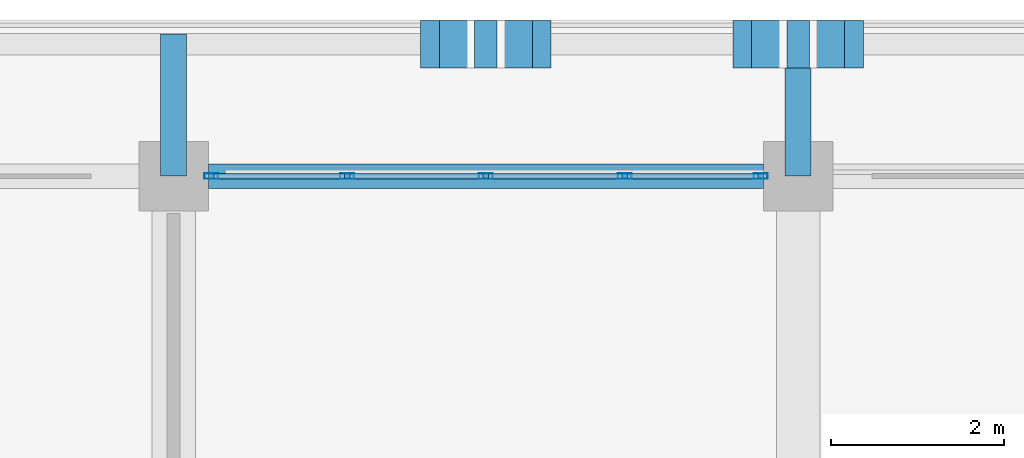
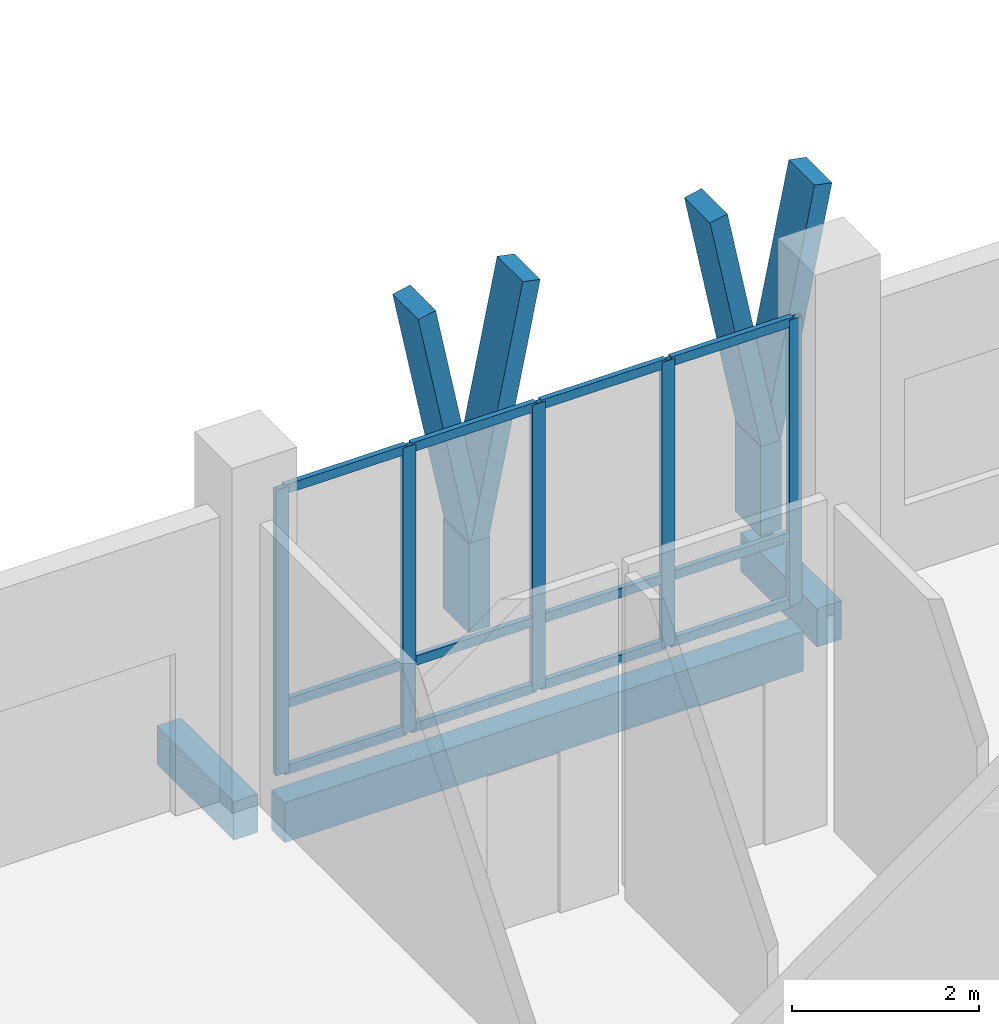
# One storey, part 27 of 110: 23 members, 3 beams, 1 element without a shape of its own.
"""IFC4 building model written with IfcOpenShell, lengths in metres."""

from ifc_helpers import new_model, si_unit, direction, frame, origin, origin_2d, place, context, subcontext, project, spatial, rectangle, hollow_rectangle, extrude, material, material_profile, profile_set, type_object, element, aggregate, save


model = new_model("IFC4")

# Units and contexts
model_context = context("Model", 3, precision=1e-05, world=origin(), true_north=direction((0.0, 1.0)))
body_context = subcontext(model_context, "Body", "Model", "MODEL_VIEW")
ifc_project = project(units=[si_unit("LENGTHUNIT", "METRE"), si_unit("AREAUNIT", "SQUARE_METRE"), si_unit("VOLUMEUNIT", "CUBIC_METRE"), si_unit("PLANEANGLEUNIT", "RADIAN"), si_unit("MASSUNIT", "GRAM", prefix="KILO")], contexts=[model_context])

# Site, building, storey
site_placement = place(None, origin())
site = spatial("IfcSite", under=ifc_project, at=site_placement, CompositionType="ELEMENT")
building_placement = place(site_placement, origin())
building = spatial("IfcBuilding", under=site, at=building_placement, Name="Suanplinth Sawtooth Commons", CompositionType="ELEMENT")
storey_placement = place(building_placement, frame((0.0, 0.0, 4.5)))
storey = spatial("IfcBuildingStorey", under=building, at=storey_placement, Name="L01", CompositionType="ELEMENT", Elevation=4.5)

# Beams
ifc_material_1 = material(Name="Precast concrete C40/50", Category="concrete")
ifc_material_profile_1 = material_profile(ifc_material_1, rectangle(XDim=0.300048828125, YDim=0.5, at=origin_2d()), Name="PC-BM 300x500")
ifc_profile_set_1 = profile_set([ifc_material_profile_1], Name="Precast concrete C40/50")
beam_type_1 = type_object("IfcBeamType", Name="B-07", PredefinedType="BEAM", material=ifc_profile_set_1)
for number, where, z_axis, x_axis, name in (
    (1, (14.39990234375, 122.39990234375, -0.429931640625), (0.0, 1.0, 0.0), (-1.0, 0.0, 0.0), "Balcony Outrigger L01-A-N-2"),
    (2, (21.60009765625, 122.39990234375, -0.429931640625), (0.0, 1.0, 0.0), (-1.0, 0.0, 0.0), "Balcony Outrigger L01-A-N-3"),
):
    element("IfcBeam", number, at=place(storey_placement, frame(where, z_axis=z_axis, x_axis=x_axis)), inside=storey, type_object=beam_type_1, Name=name, PredefinedType="BEAM", context=body_context, shape_type="SweptSolid", body=[
        extrude(rectangle(XDim=0.300048828125, YDim=0.5, at=origin_2d()), origin(), (0.0, 0.0, 1.0), 1.64013671875),
    ])
ifc_material_profile_2 = material_profile(ifc_material_1, rectangle(XDim=0.280029296875, YDim=0.52001953125, at=origin_2d()), Name="PC-SP 280x520")
ifc_profile_set_2 = profile_set([ifc_material_profile_2], Name="Precast concrete C40/50")
beam_type_2 = type_object("IfcBeamType", Name="B-08", PredefinedType="SPANDREL", material=ifc_profile_set_2)
beam_placement = place(storey_placement, frame((14.800048828125, 122.39990234375, -0.56005859375), z_axis=(1.0, 0.0, 0.0), x_axis=(0.0, 1.0, 0.0)))
element("IfcBeam", 3, at=beam_placement, inside=storey, type_object=beam_type_2, Name="BMX-L01-A-2-17", PredefinedType="SPANDREL", context=body_context, shape_type="SweptSolid", body=[
    extrude(rectangle(XDim=0.280029296875, YDim=0.52001953125, at=origin_2d()), origin(), (0.0, 0.0, 1.0), 6.39990234375),
])

# Members
ifc_material_2 = material(Name="Pigmented precast concrete C40/50", Category="concrete")
ifc_material_profile_3 = material_profile(ifc_material_2, rectangle(XDim=0.260009765625, YDim=0.550048828125, at=origin_2d()), Name="PC-FIN 260x550")
ifc_profile_set_3 = profile_set([ifc_material_profile_3], Name="Pigmented precast concrete C40/50")
member_type_1 = type_object("IfcMemberType", Name="M-09", PredefinedType="USERDEFINED", material=ifc_profile_set_3)
for number, where, z_axis, x_axis, name in (
    (4, (18.0, 123.919921875, 0.0), (0.0, 0.0, 1.0), (1.0, 0.0, 0.0), "Y-Blade Stem L01-A-N-02"),
    (5, (21.60009765625, 123.919921875, 0.0), (0.0, 0.0, 1.0), (1.0, 0.0, 0.0), "Y-Blade Stem L01-A-N-03"),
):
    element("IfcMember", number, at=place(storey_placement, frame(where, z_axis=z_axis, x_axis=x_axis)), inside=storey, type_object=member_type_1, Name=name, ObjectType="SHADING FIN", PredefinedType="USERDEFINED", context=body_context, shape_type="SweptSolid", body=[
        extrude(rectangle(XDim=0.260009765625, YDim=0.550048828125, at=origin_2d()), origin(), (0.0, 0.0, 1.0), 1.169921875),
    ])
ifc_material_profile_4 = material_profile(ifc_material_2, rectangle(XDim=0.219970703125, YDim=0.550048828125, at=origin_2d()), Name="PC-FIN 220x550")
ifc_profile_set_4 = profile_set([ifc_material_profile_4], Name="Pigmented precast concrete C40/50")
member_type_2 = type_object("IfcMemberType", Name="M-10", PredefinedType="USERDEFINED", material=ifc_profile_set_4)
for number, where, z_axis, x_axis, name in (
    (6, (18.0, 123.919921875, 1.1298828125), (-0.197582858822, 0.0, 0.980286189793), (0.980286189793, 0.0, 0.197582858822), "Y-Blade Arm L L01-A-N-02"),
    (7, (18.0, 123.919921875, 1.1298828125), (0.197582858822, 0.0, 0.980286189793), (-0.980286189793, 0.0, 0.197582858822), "Y-Blade Arm R L01-A-N-02"),
    (8, (21.60009765625, 123.919921875, 1.1298828125), (-0.197582858822, 0.0, 0.980286189793), (0.980286189793, 0.0, 0.197582858822), "Y-Blade Arm L L01-A-N-03"),
):
    element("IfcMember", number, at=place(storey_placement, frame(where, z_axis=z_axis, x_axis=x_axis)), inside=storey, type_object=member_type_2, Name=name, ObjectType="SHADING FIN", PredefinedType="USERDEFINED", context=body_context, shape_type="SweptSolid", body=[
        extrude(rectangle(XDim=0.219970703125, YDim=0.550048828125, at=origin_2d()), origin(), (0.0, 0.0, 1.0), 3.2646484375),
    ])
member_1_placement = place(storey_placement, frame((21.60009765625, 123.919921875, 1.1298828125), z_axis=(0.197510991436, 0.0, 0.980300672377), x_axis=(-0.980300672377, 0.0, 0.197510991436)))
element("IfcMember", 9, at=member_1_placement, inside=storey, type_object=member_type_2, Name="Y-Blade Arm R L01-A-N-03", ObjectType="SHADING FIN", PredefinedType="USERDEFINED", context=body_context, shape_type="SweptSolid", body=[
    extrude(rectangle(XDim=0.219970703125, YDim=0.550048828125, at=origin_2d()), origin(), (0.0, 0.0, 1.0), 3.264404296875),
])

# Curtain wall, members
ifc_material_3 = material(Name="Anodized aluminium and low-E glazing", Category="aluminium")
curtain_wall_type = type_object("IfcCurtainWallType", Name="CW-06", PredefinedType="USERDEFINED", material=ifc_material_3)
curtain_wall_placement = place(storey_placement, origin())
curtain_wall = element("IfcCurtainWall", 10, at=curtain_wall_placement, inside=storey, type_object=curtain_wall_type, Name="Curtain Wall CW-L01-A-LOUNGE-2", ObjectType="CURTAIN WALL", PredefinedType="USERDEFINED")
ifc_material_4 = material(Name="Anodized aluminium 6063-T6", Category="aluminium")
ifc_material_profile_5 = material_profile(ifc_material_4, hollow_rectangle(XDim=0.06494140625, YDim=0.159912109375, WallThickness=0.00390625, at=origin_2d()), Name="ALU-MUL 65x160")
ifc_profile_set_5 = profile_set([ifc_material_profile_5], Name="Anodized aluminium 6063-T6")
member_type_3 = type_object("IfcMemberType", Name="M-13", PredefinedType="MULLION", material=ifc_profile_set_5)
member_2_placement = place(storey_placement, frame((14.83251953125, 122.39990234375, 0.0), z_axis=(0.0, 0.0, 1.0), x_axis=(0.0, 1.0, 0.0)))
member_2 = element("IfcMember", 11, at=member_2_placement, type_object=member_type_3, Name="CW-06 mullion 1", PredefinedType="MULLION", context=body_context, shape_type="SweptSolid", body=[
    extrude(hollow_rectangle(XDim=0.06494140625, YDim=0.159912109375, WallThickness=0.00390625, at=origin_2d()), origin(), (0.0, 0.0, 1.0), 3.72998046875),
])
member_3_placement = place(storey_placement, frame((16.39990234375, 122.39990234375, 0.0), z_axis=(0.0, 0.0, 1.0), x_axis=(0.0, 1.0, 0.0)))
member_3 = element("IfcMember", 12, at=member_3_placement, type_object=member_type_3, Name="CW-06 mullion 2", PredefinedType="MULLION", context=body_context, shape_type="SweptSolid", body=[
    extrude(hollow_rectangle(XDim=0.06494140625, YDim=0.159912109375, WallThickness=0.00390625, at=origin_2d()), origin(), (0.0, 0.0, 1.0), 3.72998046875),
])
member_4_placement = place(storey_placement, frame((18.0, 122.39990234375, 0.0), z_axis=(0.0, 0.0, 1.0), x_axis=(0.0, 1.0, 0.0)))
member_4 = element("IfcMember", 13, at=member_4_placement, type_object=member_type_3, Name="CW-06 mullion 3", PredefinedType="MULLION", context=body_context, shape_type="SweptSolid", body=[
    extrude(hollow_rectangle(XDim=0.06494140625, YDim=0.159912109375, WallThickness=0.00390625, at=origin_2d()), origin(), (0.0, 0.0, 1.0), 3.72998046875),
])
member_5_placement = place(storey_placement, frame((19.60009765625, 122.39990234375, 0.0), z_axis=(0.0, 0.0, 1.0), x_axis=(0.0, 1.0, 0.0)))
member_5 = element("IfcMember", 14, at=member_5_placement, type_object=member_type_3, Name="CW-06 mullion 4", PredefinedType="MULLION", context=body_context, shape_type="SweptSolid", body=[
    extrude(hollow_rectangle(XDim=0.06494140625, YDim=0.159912109375, WallThickness=0.00390625, at=origin_2d()), origin(), (0.0, 0.0, 1.0), 3.72998046875),
])
member_6_placement = place(storey_placement, frame((21.16748046875, 122.39990234375, 0.0), z_axis=(0.0, 0.0, 1.0), x_axis=(0.0, 1.0, 0.0)))
member_6 = element("IfcMember", 15, at=member_6_placement, type_object=member_type_3, Name="CW-06 mullion 5", PredefinedType="MULLION", context=body_context, shape_type="SweptSolid", body=[
    extrude(hollow_rectangle(XDim=0.06494140625, YDim=0.159912109375, WallThickness=0.00390625, at=origin_2d()), origin(), (0.0, 0.0, 1.0), 3.72998046875),
])
ifc_material_profile_6 = material_profile(ifc_material_4, hollow_rectangle(XDim=0.06494140625, YDim=0.1201171875, WallThickness=0.00390625, at=origin_2d()), Name="ALU-TRN 65x120")
ifc_profile_set_6 = profile_set([ifc_material_profile_6], Name="Anodized aluminium 6063-T6")
member_type_4 = type_object("IfcMemberType", Name="M-15", PredefinedType="USERDEFINED", material=ifc_profile_set_6)
member_7_placement = place(storey_placement, frame((14.864990234375, 122.39990234375, 0.032470703125), z_axis=(1.0, 0.0, 0.0), x_axis=(0.0, 1.0, 0.0)))
member_7 = element("IfcMember", 16, at=member_7_placement, type_object=member_type_4, Name="CW-06 transom 1.1", ObjectType="TRANSOM", PredefinedType="USERDEFINED", context=body_context, shape_type="SweptSolid", body=[
    extrude(hollow_rectangle(XDim=0.06494140625, YDim=0.1201171875, WallThickness=0.00390625, at=origin_2d()), origin(), (0.0, 0.0, 1.0), 1.50244140625),
])
member_8_placement = place(storey_placement, frame((14.864990234375, 122.39990234375, 0.89990234375), z_axis=(1.0, 0.0, 0.0), x_axis=(0.0, 1.0, 0.0)))
member_8 = element("IfcMember", 17, at=member_8_placement, type_object=member_type_4, Name="CW-06 transom 1.2", ObjectType="TRANSOM", PredefinedType="USERDEFINED", context=body_context, shape_type="SweptSolid", body=[
    extrude(hollow_rectangle(XDim=0.06494140625, YDim=0.1201171875, WallThickness=0.00390625, at=origin_2d()), origin(), (0.0, 0.0, 1.0), 1.50244140625),
])
member_9_placement = place(storey_placement, frame((14.864990234375, 122.39990234375, 3.697509765625), z_axis=(1.0, 0.0, 0.0), x_axis=(0.0, 1.0, 0.0)))
member_9 = element("IfcMember", 18, at=member_9_placement, type_object=member_type_4, Name="CW-06 transom 1.3", ObjectType="TRANSOM", PredefinedType="USERDEFINED", context=body_context, shape_type="SweptSolid", body=[
    extrude(hollow_rectangle(XDim=0.06494140625, YDim=0.1201171875, WallThickness=0.00390625, at=origin_2d()), origin(), (0.0, 0.0, 1.0), 1.50244140625),
])
member_10_placement = place(storey_placement, frame((16.4326171875, 122.39990234375, 0.032470703125), z_axis=(1.0, 0.0, 0.0), x_axis=(0.0, 1.0, 0.0)))
member_10 = element("IfcMember", 19, at=member_10_placement, type_object=member_type_4, Name="CW-06 transom 2.1", ObjectType="TRANSOM", PredefinedType="USERDEFINED", context=body_context, shape_type="SweptSolid", body=[
    extrude(hollow_rectangle(XDim=0.06494140625, YDim=0.1201171875, WallThickness=0.00390625, at=origin_2d()), origin(), (0.0, 0.0, 1.0), 1.534912109375),
])
member_11_placement = place(storey_placement, frame((16.4326171875, 122.39990234375, 0.89990234375), z_axis=(1.0, 0.0, 0.0), x_axis=(0.0, 1.0, 0.0)))
member_11 = element("IfcMember", 20, at=member_11_placement, type_object=member_type_4, Name="CW-06 transom 2.2", ObjectType="TRANSOM", PredefinedType="USERDEFINED", context=body_context, shape_type="SweptSolid", body=[
    extrude(hollow_rectangle(XDim=0.06494140625, YDim=0.1201171875, WallThickness=0.00390625, at=origin_2d()), origin(), (0.0, 0.0, 1.0), 1.534912109375),
])
member_12_placement = place(storey_placement, frame((16.4326171875, 122.39990234375, 3.697509765625), z_axis=(1.0, 0.0, 0.0), x_axis=(0.0, 1.0, 0.0)))
member_12 = element("IfcMember", 21, at=member_12_placement, type_object=member_type_4, Name="CW-06 transom 2.3", ObjectType="TRANSOM", PredefinedType="USERDEFINED", context=body_context, shape_type="SweptSolid", body=[
    extrude(hollow_rectangle(XDim=0.06494140625, YDim=0.1201171875, WallThickness=0.00390625, at=origin_2d()), origin(), (0.0, 0.0, 1.0), 1.534912109375),
])
member_13_placement = place(storey_placement, frame((18.032470703125, 122.39990234375, 0.032470703125), z_axis=(1.0, 0.0, 0.0), x_axis=(0.0, 1.0, 0.0)))
member_13 = element("IfcMember", 22, at=member_13_placement, type_object=member_type_4, Name="CW-06 transom 3.1", ObjectType="TRANSOM", PredefinedType="USERDEFINED", context=body_context, shape_type="SweptSolid", body=[
    extrude(hollow_rectangle(XDim=0.06494140625, YDim=0.1201171875, WallThickness=0.00390625, at=origin_2d()), origin(), (0.0, 0.0, 1.0), 1.534912109375),
])
member_14_placement = place(storey_placement, frame((18.032470703125, 122.39990234375, 0.89990234375), z_axis=(1.0, 0.0, 0.0), x_axis=(0.0, 1.0, 0.0)))
member_14 = element("IfcMember", 23, at=member_14_placement, type_object=member_type_4, Name="CW-06 transom 3.2", ObjectType="TRANSOM", PredefinedType="USERDEFINED", context=body_context, shape_type="SweptSolid", body=[
    extrude(hollow_rectangle(XDim=0.06494140625, YDim=0.1201171875, WallThickness=0.00390625, at=origin_2d()), origin(), (0.0, 0.0, 1.0), 1.534912109375),
])
member_15_placement = place(storey_placement, frame((18.032470703125, 122.39990234375, 3.697509765625), z_axis=(1.0, 0.0, 0.0), x_axis=(0.0, 1.0, 0.0)))
member_15 = element("IfcMember", 24, at=member_15_placement, type_object=member_type_4, Name="CW-06 transom 3.3", ObjectType="TRANSOM", PredefinedType="USERDEFINED", context=body_context, shape_type="SweptSolid", body=[
    extrude(hollow_rectangle(XDim=0.06494140625, YDim=0.1201171875, WallThickness=0.00390625, at=origin_2d()), origin(), (0.0, 0.0, 1.0), 1.534912109375),
])
member_16_placement = place(storey_placement, frame((19.632568359375, 122.39990234375, 0.032470703125), z_axis=(1.0, 0.0, 0.0), x_axis=(0.0, 1.0, 0.0)))
member_16 = element("IfcMember", 25, at=member_16_placement, type_object=member_type_4, Name="CW-06 transom 4.1", ObjectType="TRANSOM", PredefinedType="USERDEFINED", context=body_context, shape_type="SweptSolid", body=[
    extrude(hollow_rectangle(XDim=0.06494140625, YDim=0.1201171875, WallThickness=0.00390625, at=origin_2d()), origin(), (0.0, 0.0, 1.0), 1.50244140625),
])
member_17_placement = place(storey_placement, frame((19.632568359375, 122.39990234375, 0.89990234375), z_axis=(1.0, 0.0, 0.0), x_axis=(0.0, 1.0, 0.0)))
member_17 = element("IfcMember", 26, at=member_17_placement, type_object=member_type_4, Name="CW-06 transom 4.2", ObjectType="TRANSOM", PredefinedType="USERDEFINED", context=body_context, shape_type="SweptSolid", body=[
    extrude(hollow_rectangle(XDim=0.06494140625, YDim=0.1201171875, WallThickness=0.00390625, at=origin_2d()), origin(), (0.0, 0.0, 1.0), 1.50244140625),
])
member_18_placement = place(storey_placement, frame((19.632568359375, 122.39990234375, 3.697509765625), z_axis=(1.0, 0.0, 0.0), x_axis=(0.0, 1.0, 0.0)))
member_18 = element("IfcMember", 27, at=member_18_placement, type_object=member_type_4, Name="CW-06 transom 4.3", ObjectType="TRANSOM", PredefinedType="USERDEFINED", context=body_context, shape_type="SweptSolid", body=[
    extrude(hollow_rectangle(XDim=0.06494140625, YDim=0.1201171875, WallThickness=0.00390625, at=origin_2d()), origin(), (0.0, 0.0, 1.0), 1.50244140625),
])
aggregate(curtain_wall, [member_2, member_3, member_4, member_5, member_6, member_7, member_8, member_9, member_10, member_11, member_12, member_13, member_14, member_15, member_16, member_17, member_18])

save(model, "model.ifc")
